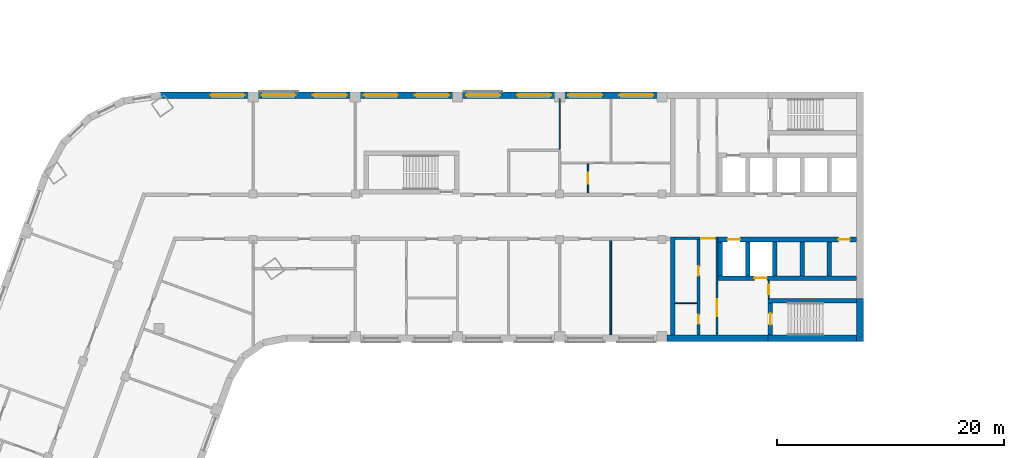
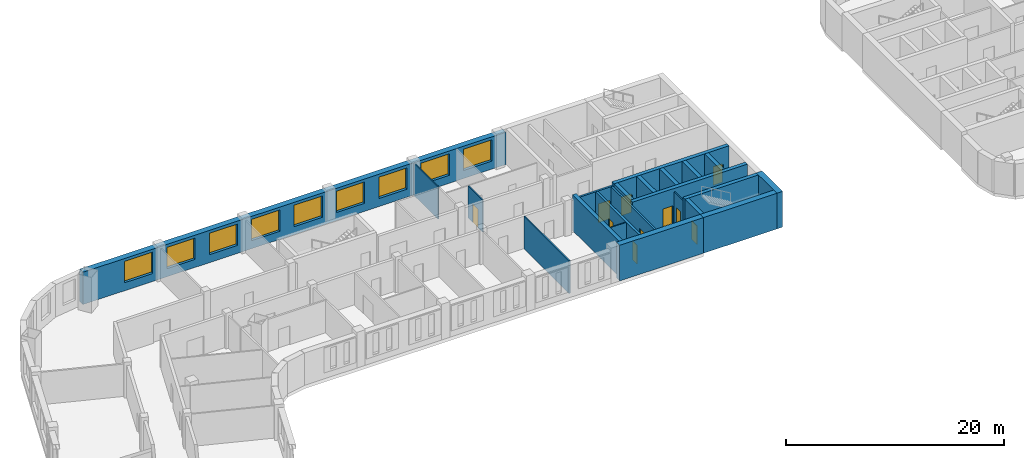
# One storey, part 5 of 12: 22 walls, 10 doors, 9 windows, 19 openings.
"""IFC4 building model written with IfcOpenShell, lengths in metres."""

import ifcopenshell
import ifcopenshell.guid

model = None  # the IFC model being written
_history = None  # IfcOwnerHistory: only IFC2X3 demands one
_inside = {}  # id of a spatial element -> (the spatial element, [elements in it])
_under = {}  # id of a project, library or spatial element -> (it, [spatial elements below it])
_declared = {}  # id of a project -> (the project, [libraries it declares])
_typed = {}  # id of a type object -> (the type object, [elements of that type])
_made_of = {}  # id of a material, layer set ... -> (it, [elements and type objects made of it])


def new_model(schema):
    """Start an empty IFC model of exactly this schema.

    Asked for "IFC4X3", IfcOpenShell would pick the latest addendum, in which some entities
    have other attributes; the version numbers below select the first issue.
    IFC2X3 requires an IfcOwnerHistory on every rooted entity: one is made here for all.
    """
    global model, _history
    if schema == "IFC4X3":
        model = ifcopenshell.file(schema_version=(4, 3, 0, 0))
    else:
        model = ifcopenshell.file(schema=schema)
    _inside.clear()
    _under.clear()
    _declared.clear()
    _typed.clear()
    _made_of.clear()
    _history = None
    if model.schema == "IFC2X3":
        org = make("IfcOrganization", Name="unknown")
        user = make(
            "IfcPersonAndOrganization",
            ThePerson=make("IfcPerson", FamilyName="unknown"),
            TheOrganization=org,
        )
        app = make(
            "IfcApplication",
            ApplicationDeveloper=org,
            Version="unknown",
            ApplicationFullName="unknown",
            ApplicationIdentifier="unknown",
        )
        _history = make(
            "IfcOwnerHistory",
            OwningUser=user,
            OwningApplication=app,
            ChangeAction="ADDED",
            CreationDate=0,
        )
    return model


def make(cls, **values):
    """One entity of the class cls with the attributes given. An attribute that is None is left unset."""
    return model.create_entity(
        cls, **{name: value for name, value in values.items() if value is not None}
    )


def rooted(cls, **values):
    """An entity with a GlobalId (a new one), such as an element, a storey or a relation."""
    return make(cls, GlobalId=ifcopenshell.guid.new(), OwnerHistory=_history, **values)


def si_unit(unit_type, name, prefix=None):
    """IfcSIUnit, for example si_unit("LENGTHUNIT", "METRE", prefix="MILLI")."""
    return make("IfcSIUnit", UnitType=unit_type, Prefix=prefix, Name=name)


def assignment(units):
    """IfcUnitAssignment: the units of a project."""
    return None if units is None else make("IfcUnitAssignment", Units=units)


def point(xyz):
    """IfcCartesianPoint."""
    return None if xyz is None else make("IfcCartesianPoint", Coordinates=xyz)


def direction(xyz):
    """IfcDirection."""
    return None if xyz is None else make("IfcDirection", DirectionRatios=xyz)


def frame(location, z_axis=None, x_axis=None):
    """IfcAxis2Placement3D, a coordinate frame: its origin and axes. An axis left out is left unset."""
    return make(
        "IfcAxis2Placement3D",
        Location=point(location),
        Axis=direction(z_axis),
        RefDirection=direction(x_axis),
    )


def frame_2d(location, x_axis=None):
    """IfcAxis2Placement2D, a coordinate frame in the plane: its origin and x axis."""
    return make(
        "IfcAxis2Placement2D", Location=point(location), RefDirection=direction(x_axis)
    )


def origin():
    """The frame at (0, 0, 0) with its axes left unset."""
    return frame((0.0, 0.0, 0.0))


def place(relative_to, where):
    """IfcLocalPlacement: puts the frame where relative to a parent placement (None: the world)."""
    return make(
        "IfcLocalPlacement", PlacementRelTo=relative_to, RelativePlacement=where
    )


def context(
    kind, dimensions, precision=None, world=None, true_north=None, identifier=None
):
    """IfcGeometricRepresentationContext, for example the 3D "Model" context."""
    return make(
        "IfcGeometricRepresentationContext",
        ContextIdentifier=identifier,
        ContextType=kind,
        CoordinateSpaceDimension=dimensions,
        Precision=precision,
        WorldCoordinateSystem=world,
        TrueNorth=true_north,
    )


def subcontext(parent, identifier, kind, view, scale=None):
    """IfcGeometricRepresentationSubContext, for example "Body" below "Model"."""
    return make(
        "IfcGeometricRepresentationSubContext",
        ContextIdentifier=identifier,
        ContextType=kind,
        ParentContext=parent,
        TargetScale=scale,
        TargetView=view,
    )


def project(units=None, contexts=None):
    """IfcProject with its units and contexts."""
    return rooted(
        "IfcProject",
        Name="project",
        RepresentationContexts=contexts,
        UnitsInContext=assignment(units),
    )


def spatial(cls, under=None, at=None, **own):
    """A site, building, storey or space (cls), placed at a placement, below another one or the project."""
    s = rooted(cls, ObjectPlacement=at, **own)
    if under is not None:
        _under.setdefault(under.id(), (under, []))[1].append(s)
    return s


def profile(cls, at=None, kind="AREA", **sizes):
    """A parametric profile (cls). Its sizes go by their IFC names, for example OverallWidth=200.0."""
    return make(cls, ProfileType=kind, Position=at, **sizes)


def rectangle(**sizes):
    """IfcRectangleProfileDef."""
    return profile("IfcRectangleProfileDef", **sizes)


def extrude(swept, where, along, depth):
    """IfcExtrudedAreaSolid: the profile swept, set in the frame where, extruded along a direction by depth."""
    return make(
        "IfcExtrudedAreaSolid",
        SweptArea=swept,
        Position=where,
        ExtrudedDirection=direction(along),
        Depth=depth,
    )


def shape(context_of_items, identifier, shape_type, items):
    """IfcShapeRepresentation: the items that make up one representation, for example the "Body"."""
    return make(
        "IfcShapeRepresentation",
        ContextOfItems=context_of_items,
        RepresentationIdentifier=identifier,
        RepresentationType=shape_type,
        Items=items,
    )


def material(Name=None, Category=None):
    """IfcMaterial."""
    return make("IfcMaterial", Name=Name, Category=Category)


def layer(
    of_material, thickness, ventilated=None, Name=None, Category=None, Priority=None
):
    """IfcMaterialLayer: one layer of a wall or slab, of a material (None: an air gap)."""
    return make(
        "IfcMaterialLayer",
        Material=of_material,
        LayerThickness=thickness,
        IsVentilated=ventilated,
        Name=Name,
        Category=Category,
        Priority=Priority,
    )


def layer_set(layers, Name=None):
    """IfcMaterialLayerSet."""
    return make("IfcMaterialLayerSet", MaterialLayers=layers, LayerSetName=Name)


def made_of(thing, what):
    """Note that an element or type object is made of a material, layer set ...; save() writes the relation."""
    if what is not None:
        _made_of.setdefault(what.id(), (what, []))[1].append(thing)
    return thing


def type_object(cls, material=None, **own):
    """A type object (cls), such as IfcWallType, which elements share."""
    return made_of(rooted(cls, **own), material)


def element(
    cls,
    number,
    at=None,
    inside=None,
    cuts=None,
    type_object=None,
    material=None,
    context=None,
    identifier="Body",
    shape_type=None,
    held_by="IfcProductDefinitionShape",
    body=None,
    shapes=None,
    **own,
):
    """One element of the class cls, such as IfcWall. Its Tag is "e" and its number.

    at: its placement. inside: the storey or other place that contains it. cuts: it is an
    opening in that element (IfcRelVoidsElement). A single representation is given by context,
    identifier, shape_type and body (its items); several are given by shapes. held_by: the class
    of the entity that holds the representations. save() writes the other relations.
    """
    e = rooted(cls, Tag="e%d" % number, ObjectPlacement=at, **own)
    if body is not None:
        shapes = [shape(context, identifier, shape_type, body)]
    if shapes is not None:
        e.Representation = make(held_by, Representations=shapes)
    if inside is not None:
        _inside.setdefault(inside.id(), (inside, []))[1].append(e)
    if cuts is not None:
        rooted(
            "IfcRelVoidsElement", RelatingBuildingElement=cuts, RelatedOpeningElement=e
        )
    if type_object is not None:
        _typed.setdefault(type_object.id(), (type_object, []))[1].append(e)
    return made_of(e, material)


def fill(opening, filler):
    """IfcRelFillsElement: the door or window that sits in an opening."""
    return rooted(
        "IfcRelFillsElement",
        RelatingOpeningElement=opening,
        RelatedBuildingElement=filler,
    )


def aggregate(whole, parts):
    """IfcRelAggregates: a whole, such as a stair, and the parts it consists of."""
    return rooted("IfcRelAggregates", RelatingObject=whole, RelatedObjects=parts)


def save(model, path):
    """Write the relations noted so far, then the file.

    IfcRelAggregates (storeys below a building ...), IfcRelContainedInSpatialStructure (elements
    in a storey), IfcRelDefinesByType, IfcRelAssociatesMaterial and IfcRelDeclares: one each for
    every whole, place, type object, material and project.
    """
    for whole, parts in _under.values():
        aggregate(whole, parts)
    for where, things in _inside.values():
        rooted(
            "IfcRelContainedInSpatialStructure",
            RelatedElements=things,
            RelatingStructure=where,
        )
    for kind, things in _typed.values():
        rooted("IfcRelDefinesByType", RelatedObjects=things, RelatingType=kind)
    for what, things in _made_of.values():
        rooted("IfcRelAssociatesMaterial", RelatedObjects=things, RelatingMaterial=what)
    for by, libraries in _declared.values():
        rooted("IfcRelDeclares", RelatingContext=by, RelatedDefinitions=libraries)
    model.write(path)


model = new_model("IFC4")

# Units and contexts
model_context = context("Model", 3, precision=1e-05, world=origin(), true_north=direction((0.0, 1.0)))
body_context = subcontext(model_context, "Body", "Model", "MODEL_VIEW")
ifc_project = project(units=[si_unit("LENGTHUNIT", "METRE"), si_unit("AREAUNIT", "SQUARE_METRE"), si_unit("VOLUMEUNIT", "CUBIC_METRE"), si_unit("PLANEANGLEUNIT", "RADIAN"), si_unit("MASSUNIT", "GRAM", prefix="KILO")], contexts=[model_context])

# Site, building, storey
site_placement = place(None, origin())
site = spatial("IfcSite", under=ifc_project, at=site_placement, CompositionType="ELEMENT")
building_placement = place(site_placement, origin())
building = spatial("IfcBuilding", under=site, at=building_placement, Name="Skarvind Civic Tower", CompositionType="ELEMENT")
storey_placement = place(building_placement, frame((0.0, 0.0, 47.5)))
storey = spatial("IfcBuildingStorey", under=building, at=storey_placement, Name="L10", CompositionType="ELEMENT", Elevation=47.5)

# Wall, opening, door
ifc_material_1 = material(Name="Fire-rated masonry partition", Category="masonry")
ifc_layer_1 = layer(ifc_material_1, 0.199951171875)
ifc_layer_set_1 = layer_set([ifc_layer_1], Name="Core enclosure wall 200")
wall_type_1 = type_object("IfcWallType", Name="Core enclosure wall 200", PredefinedType="PARTITIONING", material=ifc_layer_set_1)
wall_1_placement = place(storey_placement, frame((95.199951171875, 126.10009765625, 0.0), z_axis=(0.0, 0.0, 1.0), x_axis=(-1.0, 0.0, 0.0)))
wall_1 = element("IfcWall", 1, at=wall_1_placement, inside=storey, type_object=wall_type_1, Name="Core wall C1", PredefinedType="PARTITIONING", context=body_context, shape_type="SweptSolid", body=[
    extrude(rectangle(XDim=3.800048828125, YDim=0.199951171875, at=frame_2d((1.89990234375, 0.0))), origin(), (0.0, 0.0, 1.0), 3.625),
])
opening_1_placement = place(wall_1_placement, frame((0.300048828125, 0.0, 0.0)))
opening_1 = element("IfcOpeningElement", 2, at=opening_1_placement, cuts=wall_1, Name="Opening D-L10-C1-05", PredefinedType="OPENING", context=body_context, shape_type="SweptSolid", body=[
    extrude(rectangle(XDim=1.199951171875, YDim=2.10009765625, at=frame_2d((0.60009765625, 1.050048828125))), frame((0.0, 0.10986328125, 0.0), z_axis=(0.0, -1.0, 0.0), x_axis=(1.0, 0.0, 0.0)), (0.0, 0.0, 1.0), 0.219970703125),
])
ifc_material_2 = material(Name="Fire-rated steel door", Category="steel")
door_type_1 = type_object("IfcDoorType", Name="Core lobby door 1200", OperationType="NOTDEFINED", PredefinedType="DOOR", material=ifc_material_2)
door_1_placement = place(opening_1_placement, origin())
door_1 = element("IfcDoor", 3, at=door_1_placement, inside=storey, type_object=door_type_1, Name="Fire door", OperationType="DOUBLE_DOOR_SINGLE_SWING", OverallHeight=2.10009765625, OverallWidth=1.199951171875, PredefinedType="DOOR", context=body_context, shape_type="SweptSolid", body=[
    extrude(rectangle(XDim=1.199951171875, YDim=2.10009765625, at=frame_2d((0.60009765625, 1.050048828125))), frame((0.0, 0.02490234375, 0.0), z_axis=(0.0, -1.0, 0.0), x_axis=(1.0, 0.0, 0.0)), (0.0, 0.0, 1.0), 0.050048828125),
])
fill(opening_1, door_1)

wall_2_placement = place(storey_placement, frame((95.10009765625, 117.60009765625, 0.0), z_axis=(0.0, 0.0, 1.0), x_axis=(0.0, 1.0, 0.0)))
wall_2 = element("IfcWall", 4, at=wall_2_placement, inside=storey, type_object=wall_type_1, Name="Core wall C1", PredefinedType="PARTITIONING", context=body_context, shape_type="SweptSolid", body=[
    extrude(rectangle(XDim=8.39990234375, YDim=0.199951171875, at=frame_2d((4.199951171875, 0.0))), origin(), (0.0, 0.0, 1.0), 3.625),
])
opening_2_placement = place(wall_2_placement, frame((1.64990234375, 0.0, 0.0)))
opening_2 = element("IfcOpeningElement", 5, at=opening_2_placement, cuts=wall_2, Name="Opening D-L10-C1-06", PredefinedType="OPENING", context=body_context, shape_type="SweptSolid", body=[
    extrude(rectangle(XDim=1.5, YDim=2.10009765625, at=frame_2d((0.75, 1.050048828125))), frame((0.0, 0.10986328125, 0.0), z_axis=(0.0, -1.0, 0.0), x_axis=(1.0, 0.0, 0.0)), (0.0, 0.0, 1.0), 0.219970703125),
])
door_type_2 = type_object("IfcDoorType", Name="Fire door 1500", OperationType="NOTDEFINED", PredefinedType="DOOR", material=ifc_material_2)
door_2_placement = place(opening_2_placement, origin())
door_2 = element("IfcDoor", 6, at=door_2_placement, inside=storey, type_object=door_type_2, Name="Fire door", OperationType="DOUBLE_DOOR_SINGLE_SWING", OverallHeight=2.10009765625, OverallWidth=1.5, PredefinedType="DOOR", context=body_context, shape_type="SweptSolid", body=[
    extrude(rectangle(XDim=1.5, YDim=2.10009765625, at=frame_2d((0.75, 1.050048828125))), frame((0.0, 0.02490234375, 0.0), z_axis=(0.0, -1.0, 0.0), x_axis=(1.0, 0.0, 0.0)), (0.0, 0.0, 1.0), 0.050048828125),
])
fill(opening_2, door_2)

# Walls
ifc_material_3 = material(Name="Fire-rated plasterboard partition")
ifc_layer_2 = layer(ifc_material_3, 0.10009765625)
ifc_layer_set_2 = layer_set([ifc_layer_2], Name="Core partition wall 100")
wall_type_2 = type_object("IfcWallType", Name="Core partition wall 100", PredefinedType="PARTITIONING", material=ifc_layer_set_2)
wall_3_placement = place(storey_placement, frame((93.35009765625, 120.39990234375, 0.0), z_axis=(0.0, 0.0, 1.0), x_axis=(-1.0, 0.0, 0.0)))
element("IfcWall", 7, at=wall_3_placement, inside=storey, type_object=wall_type_2, Name="Core wall C1", PredefinedType="PARTITIONING", context=body_context, shape_type="SweptSolid", body=[
    extrude(rectangle(XDim=1.9501953125, YDim=0.10009765625, at=frame_2d((0.97509765625, 0.0))), origin(), (0.0, 0.0, 1.0), 3.625),
])
ifc_material_4 = material(Name="Concrete C80", Category="concrete")
ifc_layer_3 = layer(ifc_material_4, 0.39990234375)
ifc_layer_set_3 = layer_set([ifc_layer_3], Name="Core wall 400 C80")
wall_type_3 = type_object("IfcWallType", Name="Core wall 400 C80", PredefinedType="SHEAR", material=ifc_layer_set_3)
wall_4_placement = place(storey_placement, frame((107.39990234375, 120.60009765625, 0.0), z_axis=(0.0, 0.0, 1.0), x_axis=(-1.0, 0.0, 0.0)))
element("IfcWall", 8, at=wall_4_placement, inside=storey, type_object=wall_type_3, Name="Core wall C1 north stair inner L10", PredefinedType="SHEAR", context=body_context, shape_type="SweptSolid", body=[
    extrude(rectangle(XDim=7.7998046875, YDim=0.39990234375, at=frame_2d((3.89990234375, 0.0))), origin(), (0.0, 0.0, 1.0), 4.0),
])

# Wall, opening, door
wall_5_placement = place(storey_placement, frame((99.800048828125, 120.39990234375, 0.0), z_axis=(0.0, 0.0, 1.0), x_axis=(0.0, -1.0, 0.0)))
wall_5 = element("IfcWall", 9, at=wall_5_placement, inside=storey, type_object=wall_type_3, Name="Core wall C1 north stair end L10", PredefinedType="SHEAR", context=body_context, shape_type="SweptSolid", body=[
    extrude(rectangle(XDim=2.7998046875, YDim=0.39990234375, at=frame_2d((1.39990234375, 0.0))), origin(), (0.0, 0.0, 1.0), 4.0),
])
opening_3_placement = place(wall_5_placement, frame((0.89990234375, 0.0, 0.0)))
opening_3 = element("IfcOpeningElement", 10, at=opening_3_placement, cuts=wall_5, Name="Opening D-L10-C1-07", PredefinedType="OPENING", context=body_context, shape_type="SweptSolid", body=[
    extrude(rectangle(XDim=1.0, YDim=2.10009765625, at=frame_2d((0.5, 1.050048828125))), frame((0.0, 0.2099609375, 0.0), z_axis=(0.0, -1.0, 0.0), x_axis=(1.0, 0.0, 0.0)), (0.0, 0.0, 1.0), 0.419921875),
])
door_type_3 = type_object("IfcDoorType", Name="Fire door 1000", OperationType="NOTDEFINED", PredefinedType="DOOR", material=ifc_material_2)
door_3_placement = place(opening_3_placement, origin())
door_3 = element("IfcDoor", 11, at=door_3_placement, inside=storey, type_object=door_type_3, Name="Fire door", OperationType="SINGLE_SWING_LEFT", OverallHeight=2.10009765625, OverallWidth=1.0, PredefinedType="DOOR", context=body_context, shape_type="SweptSolid", body=[
    extrude(rectangle(XDim=1.0, YDim=2.10009765625, at=frame_2d((0.5, 1.050048828125))), frame((0.0, 0.02490234375, 0.0), z_axis=(0.0, -1.0, 0.0), x_axis=(1.0, 0.0, 0.0)), (0.0, 0.0, 1.0), 0.050048828125),
])
fill(opening_3, door_3)

# Wall, openings, doors
wall_6_placement = place(storey_placement, frame((107.39990234375, 126.0, 0.0), z_axis=(0.0, 0.0, 1.0), x_axis=(-1.0, 0.0, 0.0)))
wall_6 = element("IfcWall", 12, at=wall_6_placement, inside=storey, type_object=wall_type_3, Name="Core wall C1 north lift row front L10", PredefinedType="SHEAR", context=body_context, shape_type="SweptSolid", body=[
    extrude(rectangle(XDim=12.199951171875, YDim=0.39990234375, at=frame_2d((6.10009765625, 0.0))), origin(), (0.0, 0.0, 1.0), 4.0),
])
opening_4_placement = place(wall_6_placement, frame((10.25, 0.0, 0.0)))
opening_4 = element("IfcOpeningElement", 13, at=opening_4_placement, cuts=wall_6, Name="Opening LD12105", PredefinedType="OPENING", context=body_context, shape_type="SweptSolid", body=[
    extrude(rectangle(XDim=1.10009765625, YDim=2.10009765625, at=frame_2d((0.550048828125, 1.050048828125))), frame((0.0, 0.2099609375, 0.0), z_axis=(0.0, -1.0, 0.0), x_axis=(1.0, 0.0, 0.0)), (0.0, 0.0, 1.0), 0.419921875),
])
opening_5_placement = place(wall_6_placement, frame((0.60009765625, 0.0, 0.0)))
opening_5 = element("IfcOpeningElement", 14, at=opening_5_placement, cuts=wall_6, Name="Opening D-L10-C1-04", PredefinedType="OPENING", context=body_context, shape_type="SweptSolid", body=[
    extrude(rectangle(XDim=1.0, YDim=2.10009765625, at=frame_2d((0.5, 1.050048828125))), frame((0.0, 0.2099609375, 0.0), z_axis=(0.0, -1.0, 0.0), x_axis=(1.0, 0.0, 0.0)), (0.0, 0.0, 1.0), 0.419921875),
])
door_4_placement = place(opening_5_placement, origin())
door_4 = element("IfcDoor", 15, at=door_4_placement, inside=storey, type_object=door_type_3, Name="Fire door", OperationType="SINGLE_SWING_LEFT", OverallHeight=2.10009765625, OverallWidth=1.0, PredefinedType="DOOR", context=body_context, shape_type="SweptSolid", body=[
    extrude(rectangle(XDim=1.0, YDim=2.10009765625, at=frame_2d((0.5, 1.050048828125))), frame((0.0, 0.02490234375, 0.0), z_axis=(0.0, -1.0, 0.0), x_axis=(1.0, 0.0, 0.0)), (0.0, 0.0, 1.0), 0.050048828125),
])
fill(opening_5, door_4)
ifc_material_5 = material(Name="Stainless steel landing door", Category="steel")
door_type_4 = type_object("IfcDoorType", Name="Lift landing door 1100", OperationType="DOUBLE_DOOR_SLIDING", PredefinedType="DOOR", material=ifc_material_5)
door_5_placement = place(opening_4_placement, origin())
door_5 = element("IfcDoor", 16, at=door_5_placement, inside=storey, type_object=door_type_4, Name="Lift landing door", OperationType="DOUBLE_DOOR_SLIDING", OverallHeight=2.10009765625, OverallWidth=1.10009765625, PredefinedType="DOOR", context=body_context, shape_type="SweptSolid", body=[
    extrude(rectangle(XDim=1.10009765625, YDim=2.10009765625, at=frame_2d((0.550048828125, 1.050048828125))), frame((0.0, 0.02490234375, 0.0), z_axis=(0.0, -1.0, 0.0), x_axis=(1.0, 0.0, 0.0)), (0.0, 0.0, 1.0), 0.050048828125),
])
fill(opening_4, door_5)

# Wall, opening, door
wall_7_placement = place(storey_placement, frame((107.39990234375, 122.60009765625, 0.0), z_axis=(0.0, 0.0, 1.0), x_axis=(-1.0, 0.0, 0.0)))
wall_7 = element("IfcWall", 17, at=wall_7_placement, inside=storey, type_object=wall_type_3, Name="Core wall C1 north lift row back L10", PredefinedType="SHEAR", context=body_context, shape_type="SweptSolid", body=[
    extrude(rectangle(XDim=12.199951171875, YDim=0.39990234375, at=frame_2d((6.10009765625, 0.0))), origin(), (0.0, 0.0, 1.0), 4.0),
])
opening_6_placement = place(wall_7_placement, frame((7.89990234375, 0.0, 0.0)))
opening_6 = element("IfcOpeningElement", 18, at=opening_6_placement, cuts=wall_7, Name="Opening LD12104", PredefinedType="OPENING", context=body_context, shape_type="SweptSolid", body=[
    extrude(rectangle(XDim=1.10009765625, YDim=2.10009765625, at=frame_2d((0.550048828125, 1.050048828125))), frame((0.0, 0.2099609375, 0.0), z_axis=(0.0, -1.0, 0.0), x_axis=(1.0, 0.0, 0.0)), (0.0, 0.0, 1.0), 0.419921875),
])
door_6_placement = place(opening_6_placement, origin())
door_6 = element("IfcDoor", 19, at=door_6_placement, inside=storey, type_object=door_type_4, Name="Lift landing door", OperationType="DOUBLE_DOOR_SLIDING", OverallHeight=2.10009765625, OverallWidth=1.10009765625, PredefinedType="DOOR", context=body_context, shape_type="SweptSolid", body=[
    extrude(rectangle(XDim=1.10009765625, YDim=2.10009765625, at=frame_2d((0.550048828125, 1.050048828125))), frame((0.0, 0.02490234375, 0.0), z_axis=(0.0, -1.0, 0.0), x_axis=(1.0, 0.0, 0.0)), (0.0, 0.0, 1.0), 0.050048828125),
])
fill(opening_6, door_6)

# Walls
for number, where, z_axis, x_axis, name in (
    (20, (105.0, 125.800048828125, 0.0), (0.0, 0.0, 1.0), (0.0, -1.0, 0.0), "Core wall C1 north lift row division 1 L10"),
    (21, (102.60009765625, 125.800048828125, 0.0), (0.0, 0.0, 1.0), (0.0, -1.0, 0.0), "Core wall C1 north lift row division 2 L10"),
    (22, (100.199951171875, 125.800048828125, 0.0), (0.0, 0.0, 1.0), (0.0, -1.0, 0.0), "Core wall C1 north lift row division 3 L10"),
    (23, (97.800048828125, 125.800048828125, 0.0), (0.0, 0.0, 1.0), (0.0, -1.0, 0.0), "Core wall C1 north lift row division 4 L10"),
    (24, (95.39990234375, 125.800048828125, 0.0), (0.0, 0.0, 1.0), (0.0, -1.0, 0.0), "Core wall C1 north lift row division 5 L10"),
):
    element("IfcWall", number, at=place(storey_placement, frame(where, z_axis=z_axis, x_axis=x_axis)), inside=storey, type_object=wall_type_3, Name=name, PredefinedType="SHEAR", context=body_context, shape_type="SweptSolid", body=[
        extrude(rectangle(XDim=3.0, YDim=0.39990234375, at=frame_2d((1.5, 0.0))), origin(), (0.0, 0.0, 1.0), 4.0),
    ])
wall_8_placement = place(storey_placement, frame((91.199951171875, 126.199951171875, 0.0), z_axis=(0.0, 0.0, 1.0), x_axis=(0.0, -1.0, 0.0)))
element("IfcWall", 25, at=wall_8_placement, inside=storey, type_object=wall_type_3, Name="Core wall C1 north inner face L10", PredefinedType="SHEAR", context=body_context, shape_type="SweptSolid", body=[
    extrude(rectangle(XDim=8.599853515625, YDim=0.39990234375, at=frame_2d((4.2998046875, 0.0))), origin(), (0.0, 0.0, 1.0), 4.0),
])
ifc_layer_4 = layer(ifc_material_4, 0.60009765625)
ifc_layer_set_4 = layer_set([ifc_layer_4], Name="Core wall 600 C80")
wall_type_4 = type_object("IfcWallType", Name="Core wall 600 C80", PredefinedType="SHEAR", material=ifc_layer_set_4)
wall_9_placement = place(storey_placement, frame((107.699951171875, 120.800048828125, 0.0), z_axis=(0.0, 0.0, 1.0), x_axis=(0.0, -1.0, 0.0)))
element("IfcWall", 26, at=wall_9_placement, inside=storey, type_object=wall_type_4, Name="Core wall C1 tip at the north stair L10", PredefinedType="SHEAR", context=body_context, shape_type="SweptSolid", body=[
    extrude(rectangle(XDim=3.800048828125, YDim=0.60009765625, at=frame_2d((1.89990234375, 0.0))), origin(), (0.0, 0.0, 1.0), 4.0),
])
wall_10_placement = place(storey_placement, frame((107.39990234375, 117.300048828125, 0.0), z_axis=(0.0, 0.0, 1.0), x_axis=(-1.0, 0.0, 0.0)))
element("IfcWall", 27, at=wall_10_placement, inside=storey, type_object=wall_type_4, Name="Core wall C1 north side at the stair L10", PredefinedType="SHEAR", context=body_context, shape_type="SweptSolid", body=[
    extrude(rectangle(XDim=7.7998046875, YDim=0.60009765625, at=frame_2d((3.89990234375, 0.0))), origin(), (0.0, 0.0, 1.0), 4.0),
])
wall_11_placement = place(storey_placement, frame((99.60009765625, 117.300048828125, 0.0), z_axis=(0.0, 0.0, 1.0), x_axis=(-1.0, 0.0, 0.0)))
element("IfcWall", 28, at=wall_11_placement, inside=storey, type_object=wall_type_4, Name="Core wall C1 north side L10", PredefinedType="SHEAR", context=body_context, shape_type="SweptSolid", body=[
    extrude(rectangle(XDim=8.900146484375, YDim=0.60009765625, at=frame_2d((4.4501953125, 0.0))), origin(), (0.0, 0.0, 1.0), 4.0),
])
ifc_material_6 = material(Name="Plasterboard partition on steel studs", Category="steel")
ifc_layer_5 = layer(ifc_material_6, 0.14990234375)
ifc_layer_set_5 = layer_set([ifc_layer_5], Name="PARTITION 150")
wall_type_5 = type_object("IfcWallType", Name="PARTITION 150", PredefinedType="PARTITIONING", material=ifc_layer_set_5)
wall_12_placement = place(storey_placement, frame((85.75, 117.60009765625, 0.0), z_axis=(0.0, 0.0, 1.0), x_axis=(0.0, 1.0, 0.0)))
element("IfcWall", 29, at=wall_12_placement, inside=storey, type_object=wall_type_5, Name="Partition 10.032", PredefinedType="PARTITIONING", context=body_context, shape_type="SweptSolid", body=[
    extrude(rectangle(XDim=8.2998046875, YDim=0.14990234375, at=frame_2d((4.14990234375, 0.0))), origin(), (0.0, 0.0, 1.0), 3.625),
])

# Wall, opening, door
ifc_layer_6 = layer(ifc_material_1, 0.125)
ifc_layer_set_6 = layer_set([ifc_layer_6], Name="Riser wall 125")
wall_type_6 = type_object("IfcWallType", Name="Riser wall 125", PredefinedType="PARTITIONING", material=ifc_layer_set_6)
wall_13_placement = place(storey_placement, frame((99.66259765625, 120.800048828125, 0.0), z_axis=(0.0, 0.0, 1.0), x_axis=(0.0, 1.0, 0.0)))
wall_13 = element("IfcWall", 30, at=wall_13_placement, inside=storey, type_object=wall_type_6, Name="Core wall C1", PredefinedType="PARTITIONING", context=body_context, shape_type="SweptSolid", body=[
    extrude(rectangle(XDim=1.599853515625, YDim=0.125, at=frame_2d((0.7998046875, 0.0))), origin(), (0.0, 0.0, 1.0), 3.625),
])
opening_7_placement = place(wall_13_placement, frame((0.39990234375, 0.0, 0.0)))
opening_7 = element("IfcOpeningElement", 31, at=opening_7_placement, cuts=wall_13, Name="Opening D-L10-C1-08", PredefinedType="OPENING", context=body_context, shape_type="SweptSolid", body=[
    extrude(rectangle(XDim=0.800048828125, YDim=2.10009765625, at=frame_2d((0.39990234375, 1.050048828125))), frame((0.0, 0.072509765625, 0.0), z_axis=(0.0, -1.0, 0.0), x_axis=(1.0, 0.0, 0.0)), (0.0, 0.0, 1.0), 0.14501953125),
])
door_type_5 = type_object("IfcDoorType", Name="Core riser door 800", OperationType="NOTDEFINED", PredefinedType="DOOR", material=ifc_material_2)
door_7_placement = place(opening_7_placement, origin())
door_7 = element("IfcDoor", 32, at=door_7_placement, inside=storey, type_object=door_type_5, Name="Riser door", OperationType="SINGLE_SWING_RIGHT", OverallHeight=2.10009765625, OverallWidth=0.800048828125, PredefinedType="DOOR", context=body_context, shape_type="SweptSolid", body=[
    extrude(rectangle(XDim=0.800048828125, YDim=2.10009765625, at=frame_2d((0.39990234375, 1.050048828125))), frame((0.0, 0.02490234375, 0.0), z_axis=(0.0, -1.0, 0.0), x_axis=(1.0, 0.0, 0.0)), (0.0, 0.0, 1.0), 0.050048828125),
])
fill(opening_7, door_7)

# Wall, openings, doors
ifc_layer_7 = layer(ifc_material_1, 0.25)
ifc_layer_set_7 = layer_set([ifc_layer_7], Name="Service block wall 250")
wall_type_7 = type_object("IfcWallType", Name="Service block wall 250", PredefinedType="PARTITIONING", material=ifc_layer_set_7)
wall_14_placement = place(storey_placement, frame((93.47509765625, 117.60009765625, 0.0), z_axis=(0.0, 0.0, 1.0), x_axis=(0.0, 1.0, 0.0)))
wall_14 = element("IfcWall", 33, at=wall_14_placement, inside=storey, type_object=wall_type_7, Name="Core wall C1", PredefinedType="PARTITIONING", context=body_context, shape_type="SweptSolid", body=[
    extrude(rectangle(XDim=8.39990234375, YDim=0.25, at=frame_2d((4.199951171875, 0.0))), origin(), (0.0, 0.0, 1.0), 3.625),
])
opening_8_placement = place(wall_14_placement, frame((5.22509765625, 0.0, 0.0)))
opening_8 = element("IfcOpeningElement", 34, at=opening_8_placement, cuts=wall_14, Name="Opening D-L10-C1-09", PredefinedType="OPENING", context=body_context, shape_type="SweptSolid", body=[
    extrude(rectangle(XDim=0.800048828125, YDim=2.10009765625, at=frame_2d((0.39990234375, 1.050048828125))), frame((0.0, 0.135009765625, 0.0), z_axis=(0.0, -1.0, 0.0), x_axis=(1.0, 0.0, 0.0)), (0.0, 0.0, 1.0), 0.27001953125),
])
opening_9_placement = place(wall_14_placement, frame((0.97509765625, 0.0, 0.0)))
opening_9 = element("IfcOpeningElement", 35, at=opening_9_placement, cuts=wall_14, Name="Opening D-L10-C1-10", PredefinedType="OPENING", context=body_context, shape_type="SweptSolid", body=[
    extrude(rectangle(XDim=0.800048828125, YDim=2.10009765625, at=frame_2d((0.39990234375, 1.050048828125))), frame((0.0, 0.135009765625, 0.0), z_axis=(0.0, -1.0, 0.0), x_axis=(1.0, 0.0, 0.0)), (0.0, 0.0, 1.0), 0.27001953125),
])
door_8_placement = place(opening_8_placement, origin())
door_8 = element("IfcDoor", 36, at=door_8_placement, inside=storey, type_object=door_type_5, Name="Riser door", OperationType="SINGLE_SWING_LEFT", OverallHeight=2.10009765625, OverallWidth=0.800048828125, PredefinedType="DOOR", context=body_context, shape_type="SweptSolid", body=[
    extrude(rectangle(XDim=0.800048828125, YDim=2.10009765625, at=frame_2d((0.39990234375, 1.050048828125))), frame((0.0, 0.02490234375, 0.0), z_axis=(0.0, -1.0, 0.0), x_axis=(1.0, 0.0, 0.0)), (0.0, 0.0, 1.0), 0.050048828125),
])
fill(opening_8, door_8)
door_9_placement = place(opening_9_placement, origin())
door_9 = element("IfcDoor", 37, at=door_9_placement, inside=storey, type_object=door_type_5, Name="Riser door", OperationType="SINGLE_SWING_RIGHT", OverallHeight=2.10009765625, OverallWidth=0.800048828125, PredefinedType="DOOR", context=body_context, shape_type="SweptSolid", body=[
    extrude(rectangle(XDim=0.800048828125, YDim=2.10009765625, at=frame_2d((0.39990234375, 1.050048828125))), frame((0.0, 0.02490234375, 0.0), z_axis=(0.0, -1.0, 0.0), x_axis=(1.0, 0.0, 0.0)), (0.0, 0.0, 1.0), 0.050048828125),
])
fill(opening_9, door_9)

# Wall
ifc_material_7 = material(Name="Moisture-resistant gypsum board on steel studs", Category="steel")
ifc_layer_8 = layer(ifc_material_7, 0.125)
ifc_layer_set_8 = layer_set([ifc_layer_8], Name="WC PARTITION 125")
wall_type_8 = type_object("IfcWallType", Name="WC PARTITION 125", PredefinedType="PARTITIONING", material=ifc_layer_set_8)
wall_15_placement = place(storey_placement, frame((81.25, 133.93408203125, 0.0), z_axis=(0.0, 0.0, 1.0), x_axis=(0.0, 1.0, 0.0)))
element("IfcWall", 38, at=wall_15_placement, inside=storey, type_object=wall_type_8, Name="Partition 10.030", PredefinedType="PARTITIONING", context=body_context, shape_type="SweptSolid", body=[
    extrude(rectangle(XDim=4.4658203125, YDim=0.125, at=frame_2d((2.23291015625, 0.0))), origin(), (0.0, 0.0, 1.0), 3.625),
])

# Wall, opening, door
wall_16_placement = place(storey_placement, frame((83.75, 130.10009765625, 0.0), z_axis=(0.0, 0.0, 1.0), x_axis=(0.0, 1.0, 0.0)))
wall_16 = element("IfcWall", 39, at=wall_16_placement, inside=storey, type_object=wall_type_8, Name="Partition 10.031", PredefinedType="PARTITIONING", context=body_context, shape_type="SweptSolid", body=[
    extrude(rectangle(XDim=2.587890625, YDim=0.125, at=frame_2d((1.2939453125, 0.0))), origin(), (0.0, 0.0, 1.0), 3.625),
])
opening_10_placement = place(wall_16_placement, frame((0.7939453125, 0.0, 0.0)))
opening_10 = element("IfcOpeningElement", 40, at=opening_10_placement, cuts=wall_16, Name="Opening L10-D002", PredefinedType="OPENING", context=body_context, shape_type="SweptSolid", body=[
    extrude(rectangle(XDim=1.0, YDim=2.10009765625, at=frame_2d((0.5, 1.050048828125))), frame((0.0, 0.072509765625, 0.0), z_axis=(0.0, -1.0, 0.0), x_axis=(1.0, 0.0, 0.0)), (0.0, 0.0, 1.0), 0.14501953125),
])
ifc_material_8 = material(Name="Timber door leaf", Category="wood")
door_type_6 = type_object("IfcDoorType", Name="D1 1000x2100", OperationType="NOTDEFINED", PredefinedType="DOOR", material=ifc_material_8)
door_10_placement = place(opening_10_placement, origin())
door_10 = element("IfcDoor", 41, at=door_10_placement, inside=storey, type_object=door_type_6, Name="Door L10-D002", OperationType="SINGLE_SWING_RIGHT", OverallHeight=2.10009765625, OverallWidth=1.0, PredefinedType="DOOR", context=body_context, shape_type="SweptSolid", body=[
    extrude(rectangle(XDim=1.0, YDim=2.10009765625, at=frame_2d((0.5, 1.050048828125))), frame((0.0, 0.02490234375, 0.0), z_axis=(0.0, -1.0, 0.0), x_axis=(1.0, 0.0, 0.0)), (0.0, 0.0, 1.0), 0.050048828125),
])
fill(opening_10, door_10)

# Wall, openings, windows
ifc_material_9 = material(Name="Limestone masonry cladding on insulated backing", Category="masonry")
ifc_layer_9 = layer(ifc_material_9, 0.60009765625)
ifc_layer_set_9 = layer_set([ifc_layer_9], Name="WX1 STONE FACADE WALL 600")
wall_type_9 = type_object("IfcWallType", Name="WX1 STONE FACADE WALL 600", PredefinedType="SOLIDWALL", material=ifc_layer_set_9)
wall_17_placement = place(storey_placement, frame((46.095458984375, 138.699951171875, 0.0), z_axis=(0.0, 0.0, 1.0), x_axis=(1.0, 0.0, 0.0)))
wall_17 = element("IfcWall", 42, at=wall_17_placement, inside=storey, type_object=wall_type_9, Name="STONE FACADE WALL", PredefinedType="SOLIDWALL", context=body_context, shape_type="SweptSolid", body=[
    extrude(rectangle(XDim=44.884521484375, YDim=0.60009765625, at=frame_2d((22.4423828125, 0.0))), origin(), (0.0, 0.0, 1.0), 3.625),
])
opening_11_placement = place(wall_17_placement, frame((4.404541015625, 0.0, 0.89990234375)))
opening_11 = element("IfcOpeningElement", 43, at=opening_11_placement, cuts=wall_17, Name="Opening WN1", PredefinedType="OPENING", context=body_context, shape_type="SweptSolid", body=[
    extrude(rectangle(XDim=3.0, YDim=2.39990234375, at=frame_2d((1.5, 1.199951171875))), frame((0.0, 0.31005859375, 0.0), z_axis=(0.0, -1.0, 0.0), x_axis=(1.0, 0.0, 0.0)), (0.0, 0.0, 1.0), 0.6201171875),
])
opening_12_placement = place(wall_17_placement, frame((8.904541015625, 0.0, 0.89990234375)))
opening_12 = element("IfcOpeningElement", 44, at=opening_12_placement, cuts=wall_17, Name="Opening WN1", PredefinedType="OPENING", context=body_context, shape_type="SweptSolid", body=[
    extrude(rectangle(XDim=3.0, YDim=2.39990234375, at=frame_2d((1.5, 1.199951171875))), frame((0.0, 0.31005859375, 0.0), z_axis=(0.0, -1.0, 0.0), x_axis=(1.0, 0.0, 0.0)), (0.0, 0.0, 1.0), 0.6201171875),
])
opening_13_placement = place(wall_17_placement, frame((13.404541015625, 0.0, 0.89990234375)))
opening_13 = element("IfcOpeningElement", 45, at=opening_13_placement, cuts=wall_17, Name="Opening WN1", PredefinedType="OPENING", context=body_context, shape_type="SweptSolid", body=[
    extrude(rectangle(XDim=3.0, YDim=2.39990234375, at=frame_2d((1.5, 1.199951171875))), frame((0.0, 0.31005859375, 0.0), z_axis=(0.0, -1.0, 0.0), x_axis=(1.0, 0.0, 0.0)), (0.0, 0.0, 1.0), 0.6201171875),
])
opening_14_placement = place(wall_17_placement, frame((17.904541015625, 0.0, 0.89990234375)))
opening_14 = element("IfcOpeningElement", 46, at=opening_14_placement, cuts=wall_17, Name="Opening WN1", PredefinedType="OPENING", context=body_context, shape_type="SweptSolid", body=[
    extrude(rectangle(XDim=3.0, YDim=2.39990234375, at=frame_2d((1.5, 1.199951171875))), frame((0.0, 0.31005859375, 0.0), z_axis=(0.0, -1.0, 0.0), x_axis=(1.0, 0.0, 0.0)), (0.0, 0.0, 1.0), 0.6201171875),
])
opening_15_placement = place(wall_17_placement, frame((22.404541015625, 0.0, 0.89990234375)))
opening_15 = element("IfcOpeningElement", 47, at=opening_15_placement, cuts=wall_17, Name="Opening WN1", PredefinedType="OPENING", context=body_context, shape_type="SweptSolid", body=[
    extrude(rectangle(XDim=3.0, YDim=2.39990234375, at=frame_2d((1.5, 1.199951171875))), frame((0.0, 0.31005859375, 0.0), z_axis=(0.0, -1.0, 0.0), x_axis=(1.0, 0.0, 0.0)), (0.0, 0.0, 1.0), 0.6201171875),
])
opening_16_placement = place(wall_17_placement, frame((26.904541015625, 0.0, 0.89990234375)))
opening_16 = element("IfcOpeningElement", 48, at=opening_16_placement, cuts=wall_17, Name="Opening WN1", PredefinedType="OPENING", context=body_context, shape_type="SweptSolid", body=[
    extrude(rectangle(XDim=3.0, YDim=2.39990234375, at=frame_2d((1.5, 1.199951171875))), frame((0.0, 0.31005859375, 0.0), z_axis=(0.0, -1.0, 0.0), x_axis=(1.0, 0.0, 0.0)), (0.0, 0.0, 1.0), 0.6201171875),
])
opening_17_placement = place(wall_17_placement, frame((31.404541015625, 0.0, 0.89990234375)))
opening_17 = element("IfcOpeningElement", 49, at=opening_17_placement, cuts=wall_17, Name="Opening WN1", PredefinedType="OPENING", context=body_context, shape_type="SweptSolid", body=[
    extrude(rectangle(XDim=3.0, YDim=2.39990234375, at=frame_2d((1.5, 1.199951171875))), frame((0.0, 0.31005859375, 0.0), z_axis=(0.0, -1.0, 0.0), x_axis=(1.0, 0.0, 0.0)), (0.0, 0.0, 1.0), 0.6201171875),
])
opening_18_placement = place(wall_17_placement, frame((35.904541015625, 0.0, 0.89990234375)))
opening_18 = element("IfcOpeningElement", 50, at=opening_18_placement, cuts=wall_17, Name="Opening WN1", PredefinedType="OPENING", context=body_context, shape_type="SweptSolid", body=[
    extrude(rectangle(XDim=3.0, YDim=2.39990234375, at=frame_2d((1.5, 1.199951171875))), frame((0.0, 0.31005859375, 0.0), z_axis=(0.0, -1.0, 0.0), x_axis=(1.0, 0.0, 0.0)), (0.0, 0.0, 1.0), 0.6201171875),
])
opening_19_placement = place(wall_17_placement, frame((40.404541015625, 0.0, 0.89990234375)))
opening_19 = element("IfcOpeningElement", 51, at=opening_19_placement, cuts=wall_17, Name="Opening WN1", PredefinedType="OPENING", context=body_context, shape_type="SweptSolid", body=[
    extrude(rectangle(XDim=3.0, YDim=2.39990234375, at=frame_2d((1.5, 1.199951171875))), frame((0.0, 0.31005859375, 0.0), z_axis=(0.0, -1.0, 0.0), x_axis=(1.0, 0.0, 0.0)), (0.0, 0.0, 1.0), 0.6201171875),
])
ifc_material_10 = material(Name="Timber frame, double glazing, timber-lined reveal", Category="wood")
window_type = type_object("IfcWindowType", Name="WN1 PUNCHED STONE WINDOW 3000 x 2400", PartitioningType="SINGLE_PANEL", PredefinedType="WINDOW", material=ifc_material_10)
window_1_placement = place(opening_11_placement, origin())
window_1 = element("IfcWindow", 52, at=window_1_placement, inside=storey, type_object=window_type, Name="WN1 WINDOW", OverallHeight=2.39990234375, OverallWidth=3.0, PartitioningType="SINGLE_PANEL", PredefinedType="WINDOW", context=body_context, shape_type="SweptSolid", body=[
    extrude(rectangle(XDim=3.0, YDim=2.39990234375, at=frame_2d((1.5, 1.199951171875))), frame((0.0, 0.030029296875, 0.0), z_axis=(0.0, -1.0, 0.0), x_axis=(1.0, 0.0, 0.0)), (0.0, 0.0, 1.0), 0.06005859375),
])
fill(opening_11, window_1)
window_2_placement = place(opening_12_placement, origin())
window_2 = element("IfcWindow", 53, at=window_2_placement, inside=storey, type_object=window_type, Name="WN1 WINDOW", OverallHeight=2.39990234375, OverallWidth=3.0, PartitioningType="SINGLE_PANEL", PredefinedType="WINDOW", context=body_context, shape_type="SweptSolid", body=[
    extrude(rectangle(XDim=3.0, YDim=2.39990234375, at=frame_2d((1.5, 1.199951171875))), frame((0.0, 0.030029296875, 0.0), z_axis=(0.0, -1.0, 0.0), x_axis=(1.0, 0.0, 0.0)), (0.0, 0.0, 1.0), 0.06005859375),
])
fill(opening_12, window_2)
window_3_placement = place(opening_13_placement, origin())
window_3 = element("IfcWindow", 54, at=window_3_placement, inside=storey, type_object=window_type, Name="WN1 WINDOW", OverallHeight=2.39990234375, OverallWidth=3.0, PartitioningType="SINGLE_PANEL", PredefinedType="WINDOW", context=body_context, shape_type="SweptSolid", body=[
    extrude(rectangle(XDim=3.0, YDim=2.39990234375, at=frame_2d((1.5, 1.199951171875))), frame((0.0, 0.030029296875, 0.0), z_axis=(0.0, -1.0, 0.0), x_axis=(1.0, 0.0, 0.0)), (0.0, 0.0, 1.0), 0.06005859375),
])
fill(opening_13, window_3)
window_4_placement = place(opening_14_placement, origin())
window_4 = element("IfcWindow", 55, at=window_4_placement, inside=storey, type_object=window_type, Name="WN1 WINDOW", OverallHeight=2.39990234375, OverallWidth=3.0, PartitioningType="SINGLE_PANEL", PredefinedType="WINDOW", context=body_context, shape_type="SweptSolid", body=[
    extrude(rectangle(XDim=3.0, YDim=2.39990234375, at=frame_2d((1.5, 1.199951171875))), frame((0.0, 0.030029296875, 0.0), z_axis=(0.0, -1.0, 0.0), x_axis=(1.0, 0.0, 0.0)), (0.0, 0.0, 1.0), 0.06005859375),
])
fill(opening_14, window_4)
window_5_placement = place(opening_15_placement, origin())
window_5 = element("IfcWindow", 56, at=window_5_placement, inside=storey, type_object=window_type, Name="WN1 WINDOW", OverallHeight=2.39990234375, OverallWidth=3.0, PartitioningType="SINGLE_PANEL", PredefinedType="WINDOW", context=body_context, shape_type="SweptSolid", body=[
    extrude(rectangle(XDim=3.0, YDim=2.39990234375, at=frame_2d((1.5, 1.199951171875))), frame((0.0, 0.030029296875, 0.0), z_axis=(0.0, -1.0, 0.0), x_axis=(1.0, 0.0, 0.0)), (0.0, 0.0, 1.0), 0.06005859375),
])
fill(opening_15, window_5)
window_6_placement = place(opening_16_placement, origin())
window_6 = element("IfcWindow", 57, at=window_6_placement, inside=storey, type_object=window_type, Name="WN1 WINDOW", OverallHeight=2.39990234375, OverallWidth=3.0, PartitioningType="SINGLE_PANEL", PredefinedType="WINDOW", context=body_context, shape_type="SweptSolid", body=[
    extrude(rectangle(XDim=3.0, YDim=2.39990234375, at=frame_2d((1.5, 1.199951171875))), frame((0.0, 0.030029296875, 0.0), z_axis=(0.0, -1.0, 0.0), x_axis=(1.0, 0.0, 0.0)), (0.0, 0.0, 1.0), 0.06005859375),
])
fill(opening_16, window_6)
window_7_placement = place(opening_17_placement, origin())
window_7 = element("IfcWindow", 58, at=window_7_placement, inside=storey, type_object=window_type, Name="WN1 WINDOW", OverallHeight=2.39990234375, OverallWidth=3.0, PartitioningType="SINGLE_PANEL", PredefinedType="WINDOW", context=body_context, shape_type="SweptSolid", body=[
    extrude(rectangle(XDim=3.0, YDim=2.39990234375, at=frame_2d((1.5, 1.199951171875))), frame((0.0, 0.030029296875, 0.0), z_axis=(0.0, -1.0, 0.0), x_axis=(1.0, 0.0, 0.0)), (0.0, 0.0, 1.0), 0.06005859375),
])
fill(opening_17, window_7)
window_8_placement = place(opening_18_placement, origin())
window_8 = element("IfcWindow", 59, at=window_8_placement, inside=storey, type_object=window_type, Name="WN1 WINDOW", OverallHeight=2.39990234375, OverallWidth=3.0, PartitioningType="SINGLE_PANEL", PredefinedType="WINDOW", context=body_context, shape_type="SweptSolid", body=[
    extrude(rectangle(XDim=3.0, YDim=2.39990234375, at=frame_2d((1.5, 1.199951171875))), frame((0.0, 0.030029296875, 0.0), z_axis=(0.0, -1.0, 0.0), x_axis=(1.0, 0.0, 0.0)), (0.0, 0.0, 1.0), 0.06005859375),
])
fill(opening_18, window_8)
window_9_placement = place(opening_19_placement, origin())
window_9 = element("IfcWindow", 60, at=window_9_placement, inside=storey, type_object=window_type, Name="WN1 WINDOW", OverallHeight=2.39990234375, OverallWidth=3.0, PartitioningType="SINGLE_PANEL", PredefinedType="WINDOW", context=body_context, shape_type="SweptSolid", body=[
    extrude(rectangle(XDim=3.0, YDim=2.39990234375, at=frame_2d((1.5, 1.199951171875))), frame((0.0, 0.030029296875, 0.0), z_axis=(0.0, -1.0, 0.0), x_axis=(1.0, 0.0, 0.0)), (0.0, 0.0, 1.0), 0.06005859375),
])
fill(opening_19, window_9)

save(model, "model.ifc")
